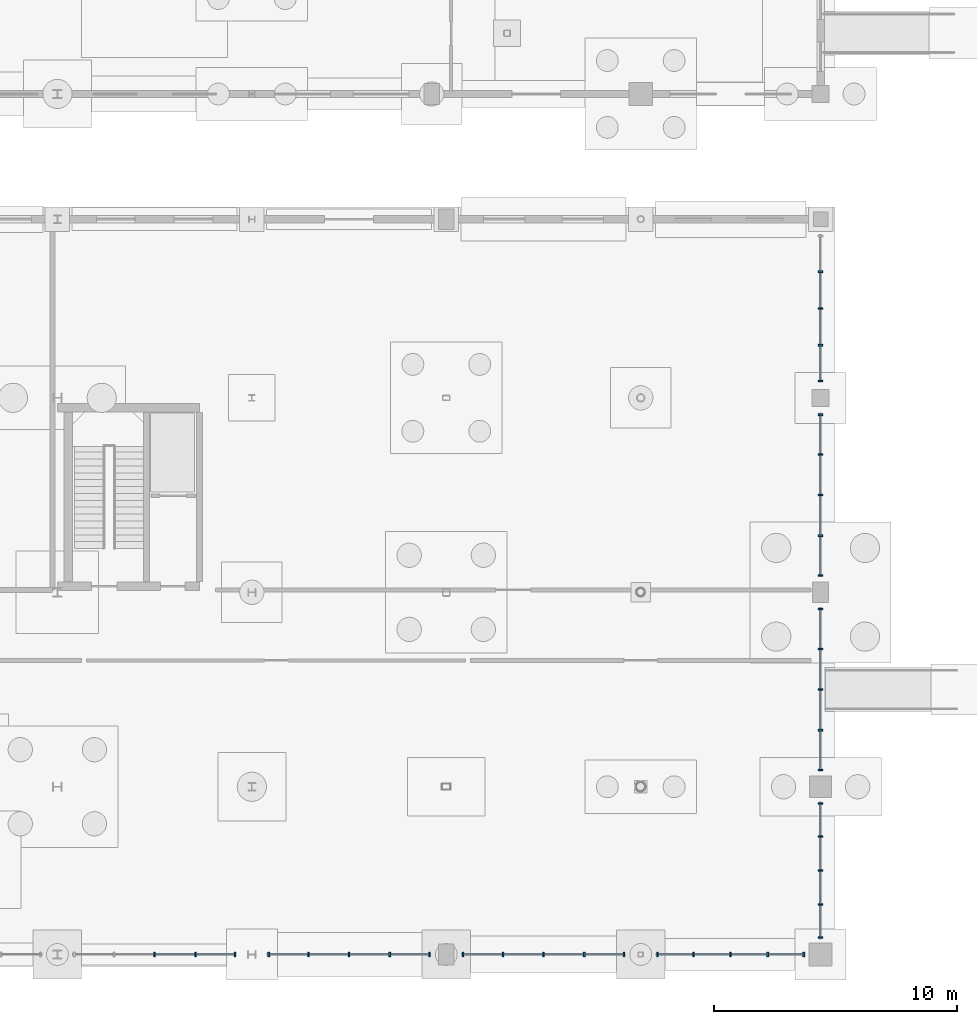
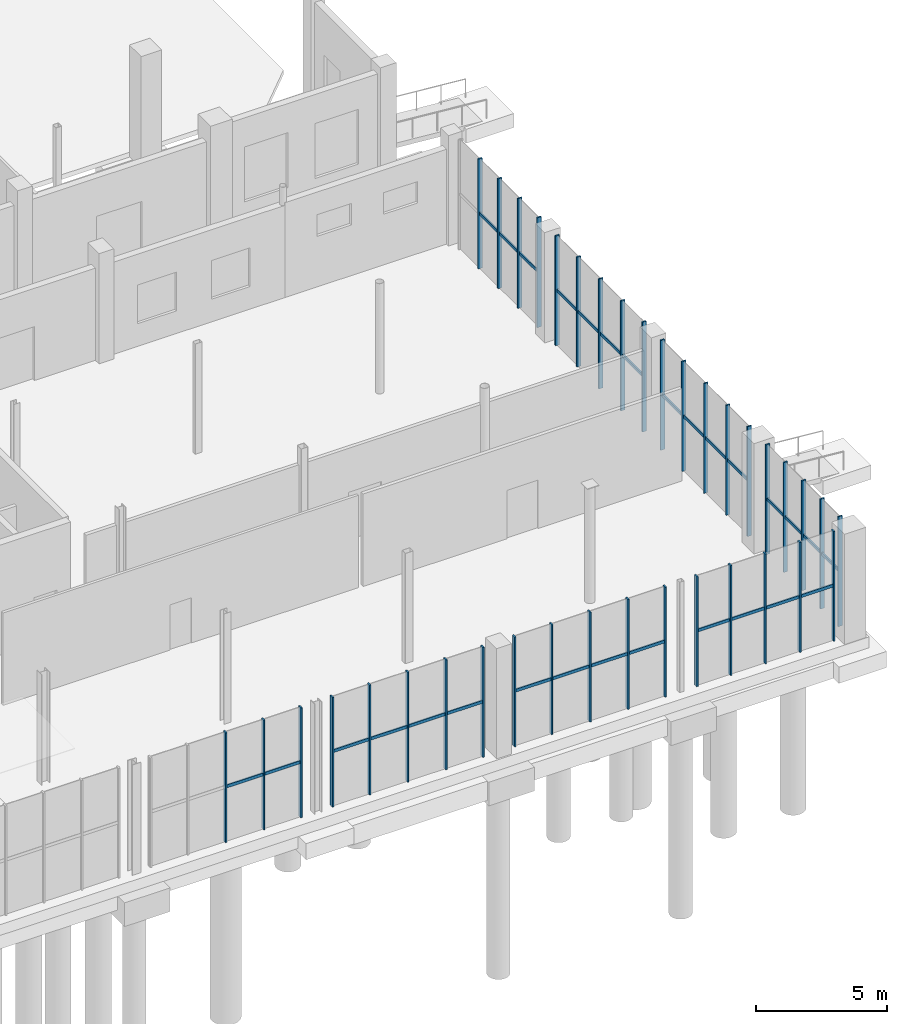
# One storey, part 51 of 87: 66 members, 8 elements without a shape of their own.
"""IFC4 building model written with IfcOpenShell, lengths in metres."""

from ifc_helpers import new_model, si_unit, direction, frame, origin, origin_2d, place, context, subcontext, project, spatial, rectangle, extrude, material, material_profile, profile_set, type_object, element, aggregate, save


model = new_model("IFC4")

# Units and contexts
model_context = context("Model", 3, precision=1e-05, world=origin(), true_north=direction((0.0, 1.0)))
body_context = subcontext(model_context, "Body", "Model", "MODEL_VIEW")
ifc_project = project(units=[si_unit("LENGTHUNIT", "METRE"), si_unit("AREAUNIT", "SQUARE_METRE"), si_unit("VOLUMEUNIT", "CUBIC_METRE"), si_unit("PLANEANGLEUNIT", "RADIAN"), si_unit("MASSUNIT", "GRAM", prefix="KILO")], contexts=[model_context])

# Site, building, storey
site_placement = place(None, origin())
site = spatial("IfcSite", under=ifc_project, at=site_placement, CompositionType="ELEMENT")
building_placement = place(site_placement, origin())
building = spatial("IfcBuilding", under=site, at=building_placement, Name="Brisemont Oceanarium", CompositionType="ELEMENT")
storey_placement = place(building_placement, origin())
storey = spatial("IfcBuildingStorey", under=building, at=storey_placement, Name="L00", CompositionType="ELEMENT", Elevation=0.0)

# Curtain wall, members
ifc_material_1 = material(Name="Anodized Extruded Aluminum 6063-T6", Category="aluminium")
curtain_wall_type = type_object("IfcCurtainWallType", Name="CW-EDU-69X45", PredefinedType="NOTDEFINED", material=ifc_material_1)
curtain_wall_1_placement = place(storey_placement, origin())
curtain_wall_1 = element("IfcCurtainWall", 1, at=curtain_wall_1_placement, inside=storey, type_object=curtain_wall_type, Name="CW-07 curtain wall CW-V3-S-L00-03", PredefinedType="NOTDEFINED")
ifc_material_2 = material(Name="Anodized Extruded Aluminum 6063-T6", Category="aluminium")
ifc_material_profile_1 = material_profile(ifc_material_2, rectangle(XDim=0.06494140625, YDim=0.179931640625, at=origin_2d()), Name="CWM-65X180")
ifc_profile_set_1 = profile_set([ifc_material_profile_1], Name="Anodized Extruded Aluminum 6063-T6")
member_type_1 = type_object("IfcMemberType", Name="MEM-CWM-65", PredefinedType="MULLION", material=ifc_profile_set_1)
member_1_placement = place(storey_placement, frame((132.0, 1.10009765625, 0.0), z_axis=(0.0, 0.0, 1.0), x_axis=(1.0, 0.0, 0.0)))
member_1 = element("IfcMember", 2, at=member_1_placement, type_object=member_type_1, Name="CW-V3-S-L00-03 mullion 3", PredefinedType="MULLION", context=body_context, shape_type="SweptSolid", body=[
    extrude(rectangle(XDim=0.06494140625, YDim=0.179931640625, at=origin_2d()), origin(), (0.0, 0.0, 1.0), 5.10009765625),
])
member_2_placement = place(storey_placement, frame((133.675048828125, 1.10009765625, 0.0), z_axis=(0.0, 0.0, 1.0), x_axis=(1.0, 0.0, 0.0)))
member_2 = element("IfcMember", 3, at=member_2_placement, type_object=member_type_1, Name="CW-V3-S-L00-03 mullion 4", PredefinedType="MULLION", context=body_context, shape_type="SweptSolid", body=[
    extrude(rectangle(XDim=0.06494140625, YDim=0.179931640625, at=origin_2d()), origin(), (0.0, 0.0, 1.0), 5.10009765625),
])
member_3_placement = place(storey_placement, frame((135.304931640625, 1.10009765625, 0.0), z_axis=(0.0, 0.0, 1.0), x_axis=(1.0, 0.0, 0.0)))
member_3 = element("IfcMember", 4, at=member_3_placement, type_object=member_type_1, Name="CW-V3-S-L00-03 mullion 5", PredefinedType="MULLION", context=body_context, shape_type="SweptSolid", body=[
    extrude(rectangle(XDim=0.06494140625, YDim=0.179931640625, at=origin_2d()), origin(), (0.0, 0.0, 1.0), 5.10009765625),
])

curtain_wall_2_placement = place(storey_placement, origin())
curtain_wall_2 = element("IfcCurtainWall", 5, at=curtain_wall_2_placement, inside=storey, type_object=curtain_wall_type, Name="CW-07 curtain wall CW-V3-S-L00-04", PredefinedType="NOTDEFINED")
member_4_placement = place(storey_placement, frame((136.695068359375, 1.10009765625, 0.0), z_axis=(0.0, 0.0, 1.0), x_axis=(1.0, 0.0, 0.0)))
member_4 = element("IfcMember", 6, at=member_4_placement, type_object=member_type_1, Name="CW-V3-S-L00-04 mullion 1", PredefinedType="MULLION", context=body_context, shape_type="SweptSolid", body=[
    extrude(rectangle(XDim=0.06494140625, YDim=0.179931640625, at=origin_2d()), origin(), (0.0, 0.0, 1.0), 5.10009765625),
])
member_5_placement = place(storey_placement, frame((138.324951171875, 1.10009765625, 0.0), z_axis=(0.0, 0.0, 1.0), x_axis=(1.0, 0.0, 0.0)))
member_5 = element("IfcMember", 7, at=member_5_placement, type_object=member_type_1, Name="CW-V3-S-L00-04 mullion 2", PredefinedType="MULLION", context=body_context, shape_type="SweptSolid", body=[
    extrude(rectangle(XDim=0.06494140625, YDim=0.179931640625, at=origin_2d()), origin(), (0.0, 0.0, 1.0), 5.10009765625),
])
member_6_placement = place(storey_placement, frame((140.0, 1.10009765625, 0.0), z_axis=(0.0, 0.0, 1.0), x_axis=(1.0, 0.0, 0.0)))
member_6 = element("IfcMember", 8, at=member_6_placement, type_object=member_type_1, Name="CW-V3-S-L00-04 mullion 3", PredefinedType="MULLION", context=body_context, shape_type="SweptSolid", body=[
    extrude(rectangle(XDim=0.06494140625, YDim=0.179931640625, at=origin_2d()), origin(), (0.0, 0.0, 1.0), 5.10009765625),
])
member_7_placement = place(storey_placement, frame((141.675048828125, 1.10009765625, 0.0), z_axis=(0.0, 0.0, 1.0), x_axis=(1.0, 0.0, 0.0)))
member_7 = element("IfcMember", 9, at=member_7_placement, type_object=member_type_1, Name="CW-V3-S-L00-04 mullion 4", PredefinedType="MULLION", context=body_context, shape_type="SweptSolid", body=[
    extrude(rectangle(XDim=0.06494140625, YDim=0.179931640625, at=origin_2d()), origin(), (0.0, 0.0, 1.0), 5.10009765625),
])
member_8_placement = place(storey_placement, frame((143.304931640625, 1.10009765625, 0.0), z_axis=(0.0, 0.0, 1.0), x_axis=(1.0, 0.0, 0.0)))
member_8 = element("IfcMember", 10, at=member_8_placement, type_object=member_type_1, Name="CW-V3-S-L00-04 mullion 5", PredefinedType="MULLION", context=body_context, shape_type="SweptSolid", body=[
    extrude(rectangle(XDim=0.06494140625, YDim=0.179931640625, at=origin_2d()), origin(), (0.0, 0.0, 1.0), 5.10009765625),
])

curtain_wall_3_placement = place(storey_placement, origin())
curtain_wall_3 = element("IfcCurtainWall", 11, at=curtain_wall_3_placement, inside=storey, type_object=curtain_wall_type, Name="CW-07 curtain wall CW-V3-S-L00-05", PredefinedType="NOTDEFINED")
member_9_placement = place(storey_placement, frame((144.695068359375, 1.10009765625, 0.0), z_axis=(0.0, 0.0, 1.0), x_axis=(1.0, 0.0, 0.0)))
member_9 = element("IfcMember", 12, at=member_9_placement, type_object=member_type_1, Name="CW-V3-S-L00-05 mullion 1", PredefinedType="MULLION", context=body_context, shape_type="SweptSolid", body=[
    extrude(rectangle(XDim=0.06494140625, YDim=0.179931640625, at=origin_2d()), origin(), (0.0, 0.0, 1.0), 5.10009765625),
])
member_10_placement = place(storey_placement, frame((146.324951171875, 1.10009765625, 0.0), z_axis=(0.0, 0.0, 1.0), x_axis=(1.0, 0.0, 0.0)))
member_10 = element("IfcMember", 13, at=member_10_placement, type_object=member_type_1, Name="CW-V3-S-L00-05 mullion 2", PredefinedType="MULLION", context=body_context, shape_type="SweptSolid", body=[
    extrude(rectangle(XDim=0.06494140625, YDim=0.179931640625, at=origin_2d()), origin(), (0.0, 0.0, 1.0), 5.10009765625),
])
member_11_placement = place(storey_placement, frame((148.0, 1.10009765625, 0.0), z_axis=(0.0, 0.0, 1.0), x_axis=(1.0, 0.0, 0.0)))
member_11 = element("IfcMember", 14, at=member_11_placement, type_object=member_type_1, Name="CW-V3-S-L00-05 mullion 3", PredefinedType="MULLION", context=body_context, shape_type="SweptSolid", body=[
    extrude(rectangle(XDim=0.06494140625, YDim=0.179931640625, at=origin_2d()), origin(), (0.0, 0.0, 1.0), 5.10009765625),
])
member_12_placement = place(storey_placement, frame((149.675048828125, 1.10009765625, 0.0), z_axis=(0.0, 0.0, 1.0), x_axis=(1.0, 0.0, 0.0)))
member_12 = element("IfcMember", 15, at=member_12_placement, type_object=member_type_1, Name="CW-V3-S-L00-05 mullion 4", PredefinedType="MULLION", context=body_context, shape_type="SweptSolid", body=[
    extrude(rectangle(XDim=0.06494140625, YDim=0.179931640625, at=origin_2d()), origin(), (0.0, 0.0, 1.0), 5.10009765625),
])
member_13_placement = place(storey_placement, frame((151.304931640625, 1.10009765625, 0.0), z_axis=(0.0, 0.0, 1.0), x_axis=(1.0, 0.0, 0.0)))
member_13 = element("IfcMember", 16, at=member_13_placement, type_object=member_type_1, Name="CW-V3-S-L00-05 mullion 5", PredefinedType="MULLION", context=body_context, shape_type="SweptSolid", body=[
    extrude(rectangle(XDim=0.06494140625, YDim=0.179931640625, at=origin_2d()), origin(), (0.0, 0.0, 1.0), 5.10009765625),
])

curtain_wall_4_placement = place(storey_placement, origin())
curtain_wall_4 = element("IfcCurtainWall", 17, at=curtain_wall_4_placement, inside=storey, type_object=curtain_wall_type, Name="CW-07 curtain wall CW-V3-S-L00-06", PredefinedType="NOTDEFINED")
member_14_placement = place(storey_placement, frame((152.695068359375, 1.10009765625, 0.0), z_axis=(0.0, 0.0, 1.0), x_axis=(1.0, 0.0, 0.0)))
member_14 = element("IfcMember", 18, at=member_14_placement, type_object=member_type_1, Name="CW-V3-S-L00-06 mullion 1", PredefinedType="MULLION", context=body_context, shape_type="SweptSolid", body=[
    extrude(rectangle(XDim=0.06494140625, YDim=0.179931640625, at=origin_2d()), origin(), (0.0, 0.0, 1.0), 5.10009765625),
])
member_15_placement = place(storey_placement, frame((154.175048828125, 1.10009765625, 0.0), z_axis=(0.0, 0.0, 1.0), x_axis=(1.0, 0.0, 0.0)))
member_15 = element("IfcMember", 19, at=member_15_placement, type_object=member_type_1, Name="CW-V3-S-L00-06 mullion 2", PredefinedType="MULLION", context=body_context, shape_type="SweptSolid", body=[
    extrude(rectangle(XDim=0.06494140625, YDim=0.179931640625, at=origin_2d()), origin(), (0.0, 0.0, 1.0), 5.10009765625),
])
member_16_placement = place(storey_placement, frame((155.699951171875, 1.10009765625, 0.0), z_axis=(0.0, 0.0, 1.0), x_axis=(1.0, 0.0, 0.0)))
member_16 = element("IfcMember", 20, at=member_16_placement, type_object=member_type_1, Name="CW-V3-S-L00-06 mullion 3", PredefinedType="MULLION", context=body_context, shape_type="SweptSolid", body=[
    extrude(rectangle(XDim=0.06494140625, YDim=0.179931640625, at=origin_2d()), origin(), (0.0, 0.0, 1.0), 5.10009765625),
])
member_17_placement = place(storey_placement, frame((157.22509765625, 1.10009765625, 0.0), z_axis=(0.0, 0.0, 1.0), x_axis=(1.0, 0.0, 0.0)))
member_17 = element("IfcMember", 21, at=member_17_placement, type_object=member_type_1, Name="CW-V3-S-L00-06 mullion 4", PredefinedType="MULLION", context=body_context, shape_type="SweptSolid", body=[
    extrude(rectangle(XDim=0.06494140625, YDim=0.179931640625, at=origin_2d()), origin(), (0.0, 0.0, 1.0), 5.10009765625),
])
member_18_placement = place(storey_placement, frame((158.705078125, 1.10009765625, 0.0), z_axis=(0.0, 0.0, 1.0), x_axis=(1.0, 0.0, 0.0)))
member_18 = element("IfcMember", 22, at=member_18_placement, type_object=member_type_1, Name="CW-V3-S-L00-06 mullion 5", PredefinedType="MULLION", context=body_context, shape_type="SweptSolid", body=[
    extrude(rectangle(XDim=0.06494140625, YDim=0.179931640625, at=origin_2d()), origin(), (0.0, 0.0, 1.0), 5.10009765625),
])

curtain_wall_5_placement = place(storey_placement, origin())
curtain_wall_5 = element("IfcCurtainWall", 23, at=curtain_wall_5_placement, inside=storey, type_object=curtain_wall_type, Name="CW-07 curtain wall CW-V3-E-L00-01", PredefinedType="NOTDEFINED")
member_19_placement = place(storey_placement, frame((159.39990234375, 1.794921875, 0.0), z_axis=(0.0, 0.0, 1.0), x_axis=(0.0, 1.0, 0.0)))
member_19 = element("IfcMember", 24, at=member_19_placement, type_object=member_type_1, Name="CW-V3-E-L00-01 mullion 1", PredefinedType="MULLION", context=body_context, shape_type="SweptSolid", body=[
    extrude(rectangle(XDim=0.06494140625, YDim=0.179931640625, at=origin_2d()), origin(), (0.0, 0.0, 1.0), 5.10009765625),
])
member_20_placement = place(storey_placement, frame((159.39990234375, 3.14990234375, 0.0), z_axis=(0.0, 0.0, 1.0), x_axis=(0.0, 1.0, 0.0)))
member_20 = element("IfcMember", 25, at=member_20_placement, type_object=member_type_1, Name="CW-V3-E-L00-01 mullion 2", PredefinedType="MULLION", context=body_context, shape_type="SweptSolid", body=[
    extrude(rectangle(XDim=0.06494140625, YDim=0.179931640625, at=origin_2d()), origin(), (0.0, 0.0, 1.0), 5.10009765625),
])
member_21_placement = place(storey_placement, frame((159.39990234375, 4.550048828125, 0.0), z_axis=(0.0, 0.0, 1.0), x_axis=(0.0, 1.0, 0.0)))
member_21 = element("IfcMember", 26, at=member_21_placement, type_object=member_type_1, Name="CW-V3-E-L00-01 mullion 3", PredefinedType="MULLION", context=body_context, shape_type="SweptSolid", body=[
    extrude(rectangle(XDim=0.06494140625, YDim=0.179931640625, at=origin_2d()), origin(), (0.0, 0.0, 1.0), 5.10009765625),
])
member_22_placement = place(storey_placement, frame((159.39990234375, 5.949951171875, 0.0), z_axis=(0.0, 0.0, 1.0), x_axis=(0.0, 1.0, 0.0)))
member_22 = element("IfcMember", 27, at=member_22_placement, type_object=member_type_1, Name="CW-V3-E-L00-01 mullion 4", PredefinedType="MULLION", context=body_context, shape_type="SweptSolid", body=[
    extrude(rectangle(XDim=0.06494140625, YDim=0.179931640625, at=origin_2d()), origin(), (0.0, 0.0, 1.0), 5.10009765625),
])
member_23_placement = place(storey_placement, frame((159.39990234375, 7.304931640625, 0.0), z_axis=(0.0, 0.0, 1.0), x_axis=(0.0, 1.0, 0.0)))
member_23 = element("IfcMember", 28, at=member_23_placement, type_object=member_type_1, Name="CW-V3-E-L00-01 mullion 5", PredefinedType="MULLION", context=body_context, shape_type="SweptSolid", body=[
    extrude(rectangle(XDim=0.06494140625, YDim=0.179931640625, at=origin_2d()), origin(), (0.0, 0.0, 1.0), 5.10009765625),
])

curtain_wall_6_placement = place(storey_placement, origin())
curtain_wall_6 = element("IfcCurtainWall", 29, at=curtain_wall_6_placement, inside=storey, type_object=curtain_wall_type, Name="CW-07 curtain wall CW-V3-E-L00-02", PredefinedType="NOTDEFINED")
member_24_placement = place(storey_placement, frame((159.39990234375, 8.695068359375, 0.0), z_axis=(0.0, 0.0, 1.0), x_axis=(0.0, 1.0, 0.0)))
member_24 = element("IfcMember", 30, at=member_24_placement, type_object=member_type_1, Name="CW-V3-E-L00-02 mullion 1", PredefinedType="MULLION", context=body_context, shape_type="SweptSolid", body=[
    extrude(rectangle(XDim=0.06494140625, YDim=0.179931640625, at=origin_2d()), origin(), (0.0, 0.0, 1.0), 5.10009765625),
])
member_25_placement = place(storey_placement, frame((159.39990234375, 10.324951171875, 0.0), z_axis=(0.0, 0.0, 1.0), x_axis=(0.0, 1.0, 0.0)))
member_25 = element("IfcMember", 31, at=member_25_placement, type_object=member_type_1, Name="CW-V3-E-L00-02 mullion 2", PredefinedType="MULLION", context=body_context, shape_type="SweptSolid", body=[
    extrude(rectangle(XDim=0.06494140625, YDim=0.179931640625, at=origin_2d()), origin(), (0.0, 0.0, 1.0), 5.10009765625),
])
member_26_placement = place(storey_placement, frame((159.39990234375, 12.0, 0.0), z_axis=(0.0, 0.0, 1.0), x_axis=(0.0, 1.0, 0.0)))
member_26 = element("IfcMember", 32, at=member_26_placement, type_object=member_type_1, Name="CW-V3-E-L00-02 mullion 3", PredefinedType="MULLION", context=body_context, shape_type="SweptSolid", body=[
    extrude(rectangle(XDim=0.06494140625, YDim=0.179931640625, at=origin_2d()), origin(), (0.0, 0.0, 1.0), 5.10009765625),
])
member_27_placement = place(storey_placement, frame((159.39990234375, 13.675048828125, 0.0), z_axis=(0.0, 0.0, 1.0), x_axis=(0.0, 1.0, 0.0)))
member_27 = element("IfcMember", 33, at=member_27_placement, type_object=member_type_1, Name="CW-V3-E-L00-02 mullion 4", PredefinedType="MULLION", context=body_context, shape_type="SweptSolid", body=[
    extrude(rectangle(XDim=0.06494140625, YDim=0.179931640625, at=origin_2d()), origin(), (0.0, 0.0, 1.0), 5.10009765625),
])
member_28_placement = place(storey_placement, frame((159.39990234375, 15.304931640625, 0.0), z_axis=(0.0, 0.0, 1.0), x_axis=(0.0, 1.0, 0.0)))
member_28 = element("IfcMember", 34, at=member_28_placement, type_object=member_type_1, Name="CW-V3-E-L00-02 mullion 5", PredefinedType="MULLION", context=body_context, shape_type="SweptSolid", body=[
    extrude(rectangle(XDim=0.06494140625, YDim=0.179931640625, at=origin_2d()), origin(), (0.0, 0.0, 1.0), 5.10009765625),
])

curtain_wall_7_placement = place(storey_placement, origin())
curtain_wall_7 = element("IfcCurtainWall", 35, at=curtain_wall_7_placement, inside=storey, type_object=curtain_wall_type, Name="CW-07 curtain wall CW-V3-E-L00-03", PredefinedType="NOTDEFINED")
member_29_placement = place(storey_placement, frame((159.39990234375, 16.695068359375, 0.0), z_axis=(0.0, 0.0, 1.0), x_axis=(0.0, 1.0, 0.0)))
member_29 = element("IfcMember", 36, at=member_29_placement, type_object=member_type_1, Name="CW-V3-E-L00-03 mullion 1", PredefinedType="MULLION", context=body_context, shape_type="SweptSolid", body=[
    extrude(rectangle(XDim=0.06494140625, YDim=0.179931640625, at=origin_2d()), origin(), (0.0, 0.0, 1.0), 5.10009765625),
])
member_30_placement = place(storey_placement, frame((159.39990234375, 18.324951171875, 0.0), z_axis=(0.0, 0.0, 1.0), x_axis=(0.0, 1.0, 0.0)))
member_30 = element("IfcMember", 37, at=member_30_placement, type_object=member_type_1, Name="CW-V3-E-L00-03 mullion 2", PredefinedType="MULLION", context=body_context, shape_type="SweptSolid", body=[
    extrude(rectangle(XDim=0.06494140625, YDim=0.179931640625, at=origin_2d()), origin(), (0.0, 0.0, 1.0), 5.10009765625),
])
member_31_placement = place(storey_placement, frame((159.39990234375, 20.0, 0.0), z_axis=(0.0, 0.0, 1.0), x_axis=(0.0, 1.0, 0.0)))
member_31 = element("IfcMember", 38, at=member_31_placement, type_object=member_type_1, Name="CW-V3-E-L00-03 mullion 3", PredefinedType="MULLION", context=body_context, shape_type="SweptSolid", body=[
    extrude(rectangle(XDim=0.06494140625, YDim=0.179931640625, at=origin_2d()), origin(), (0.0, 0.0, 1.0), 5.10009765625),
])
member_32_placement = place(storey_placement, frame((159.39990234375, 21.675048828125, 0.0), z_axis=(0.0, 0.0, 1.0), x_axis=(0.0, 1.0, 0.0)))
member_32 = element("IfcMember", 39, at=member_32_placement, type_object=member_type_1, Name="CW-V3-E-L00-03 mullion 4", PredefinedType="MULLION", context=body_context, shape_type="SweptSolid", body=[
    extrude(rectangle(XDim=0.06494140625, YDim=0.179931640625, at=origin_2d()), origin(), (0.0, 0.0, 1.0), 5.10009765625),
])
member_33_placement = place(storey_placement, frame((159.39990234375, 23.304931640625, 0.0), z_axis=(0.0, 0.0, 1.0), x_axis=(0.0, 1.0, 0.0)))
member_33 = element("IfcMember", 40, at=member_33_placement, type_object=member_type_1, Name="CW-V3-E-L00-03 mullion 5", PredefinedType="MULLION", context=body_context, shape_type="SweptSolid", body=[
    extrude(rectangle(XDim=0.06494140625, YDim=0.179931640625, at=origin_2d()), origin(), (0.0, 0.0, 1.0), 5.10009765625),
])

curtain_wall_8_placement = place(storey_placement, origin())
curtain_wall_8 = element("IfcCurtainWall", 41, at=curtain_wall_8_placement, inside=storey, type_object=curtain_wall_type, Name="CW-07 curtain wall CW-V3-E-L00-04", PredefinedType="NOTDEFINED")
member_34_placement = place(storey_placement, frame((159.39990234375, 24.695068359375, 0.0), z_axis=(0.0, 0.0, 1.0), x_axis=(0.0, 1.0, 0.0)))
member_34 = element("IfcMember", 42, at=member_34_placement, type_object=member_type_1, Name="CW-V3-E-L00-04 mullion 1", PredefinedType="MULLION", context=body_context, shape_type="SweptSolid", body=[
    extrude(rectangle(XDim=0.06494140625, YDim=0.179931640625, at=origin_2d()), origin(), (0.0, 0.0, 1.0), 5.10009765625),
])
member_35_placement = place(storey_placement, frame((159.39990234375, 26.16259765625, 0.0), z_axis=(0.0, 0.0, 1.0), x_axis=(0.0, 1.0, 0.0)))
member_35 = element("IfcMember", 43, at=member_35_placement, type_object=member_type_1, Name="CW-V3-E-L00-04 mullion 2", PredefinedType="MULLION", context=body_context, shape_type="SweptSolid", body=[
    extrude(rectangle(XDim=0.06494140625, YDim=0.179931640625, at=origin_2d()), origin(), (0.0, 0.0, 1.0), 5.10009765625),
])
member_36_placement = place(storey_placement, frame((159.39990234375, 27.675048828125, 0.0), z_axis=(0.0, 0.0, 1.0), x_axis=(0.0, 1.0, 0.0)))
member_36 = element("IfcMember", 44, at=member_36_placement, type_object=member_type_1, Name="CW-V3-E-L00-04 mullion 3", PredefinedType="MULLION", context=body_context, shape_type="SweptSolid", body=[
    extrude(rectangle(XDim=0.06494140625, YDim=0.179931640625, at=origin_2d()), origin(), (0.0, 0.0, 1.0), 5.10009765625),
])
member_37_placement = place(storey_placement, frame((159.39990234375, 29.1875, 0.0), z_axis=(0.0, 0.0, 1.0), x_axis=(0.0, 1.0, 0.0)))
member_37 = element("IfcMember", 45, at=member_37_placement, type_object=member_type_1, Name="CW-V3-E-L00-04 mullion 4", PredefinedType="MULLION", context=body_context, shape_type="SweptSolid", body=[
    extrude(rectangle(XDim=0.06494140625, YDim=0.179931640625, at=origin_2d()), origin(), (0.0, 0.0, 1.0), 5.10009765625),
])

# Member
ifc_material_3 = material(Name="Anodized Extruded Aluminum 6063-T6", Category="aluminium")
ifc_material_profile_2 = material_profile(ifc_material_3, rectangle(XDim=0.06494140625, YDim=0.139892578125, at=origin_2d()), Name="CWT-65X140")
ifc_profile_set_2 = profile_set([ifc_material_profile_2], Name="Anodized Extruded Aluminum 6063-T6")
member_type_2 = type_object("IfcMemberType", Name="MEM-CWT-65", PredefinedType="USERDEFINED", material=ifc_profile_set_2)
member_38_placement = place(storey_placement, frame((132.014892578125, 1.10009765625, 2.550048828125), z_axis=(1.0, 0.0, 0.0), x_axis=(0.0, 1.0, 0.0)))
member_38 = element("IfcMember", 46, at=member_38_placement, type_object=member_type_2, Name="CW-V3-S-L00-03 transom 3.1", ObjectType="TRANSOM", PredefinedType="USERDEFINED", context=body_context, shape_type="SweptSolid", body=[
    extrude(rectangle(XDim=0.06494140625, YDim=0.139892578125, at=origin_2d()), origin(), (0.0, 0.0, 1.0), 1.64501953125),
])

member_39_placement = place(storey_placement, frame((133.68994140625, 1.10009765625, 2.550048828125), z_axis=(1.0, 0.0, 0.0), x_axis=(0.0, 1.0, 0.0)))
member_39 = element("IfcMember", 47, at=member_39_placement, type_object=member_type_2, Name="CW-V3-S-L00-03 transom 4.1", ObjectType="TRANSOM", PredefinedType="USERDEFINED", context=body_context, shape_type="SweptSolid", body=[
    extrude(rectangle(XDim=0.06494140625, YDim=0.139892578125, at=origin_2d()), origin(), (0.0, 0.0, 1.0), 1.64501953125),
])

aggregate(curtain_wall_1, [member_1, member_2, member_3, member_38, member_39])

member_40_placement = place(storey_placement, frame((136.6650390625, 1.10009765625, 2.550048828125), z_axis=(1.0, 0.0, 0.0), x_axis=(0.0, 1.0, 0.0)))
member_40 = element("IfcMember", 48, at=member_40_placement, type_object=member_type_2, Name="CW-V3-S-L00-04 transom 1.1", ObjectType="TRANSOM", PredefinedType="USERDEFINED", context=body_context, shape_type="SweptSolid", body=[
    extrude(rectangle(XDim=0.06494140625, YDim=0.139892578125, at=origin_2d()), origin(), (0.0, 0.0, 1.0), 1.64501953125),
])

member_41_placement = place(storey_placement, frame((138.340087890625, 1.10009765625, 2.550048828125), z_axis=(1.0, 0.0, 0.0), x_axis=(0.0, 1.0, 0.0)))
member_41 = element("IfcMember", 49, at=member_41_placement, type_object=member_type_2, Name="CW-V3-S-L00-04 transom 2.1", ObjectType="TRANSOM", PredefinedType="USERDEFINED", context=body_context, shape_type="SweptSolid", body=[
    extrude(rectangle(XDim=0.06494140625, YDim=0.139892578125, at=origin_2d()), origin(), (0.0, 0.0, 1.0), 1.64501953125),
])

member_42_placement = place(storey_placement, frame((140.014892578125, 1.10009765625, 2.550048828125), z_axis=(1.0, 0.0, 0.0), x_axis=(0.0, 1.0, 0.0)))
member_42 = element("IfcMember", 50, at=member_42_placement, type_object=member_type_2, Name="CW-V3-S-L00-04 transom 3.1", ObjectType="TRANSOM", PredefinedType="USERDEFINED", context=body_context, shape_type="SweptSolid", body=[
    extrude(rectangle(XDim=0.06494140625, YDim=0.139892578125, at=origin_2d()), origin(), (0.0, 0.0, 1.0), 1.64501953125),
])

member_43_placement = place(storey_placement, frame((141.68994140625, 1.10009765625, 2.550048828125), z_axis=(1.0, 0.0, 0.0), x_axis=(0.0, 1.0, 0.0)))
member_43 = element("IfcMember", 51, at=member_43_placement, type_object=member_type_2, Name="CW-V3-S-L00-04 transom 4.1", ObjectType="TRANSOM", PredefinedType="USERDEFINED", context=body_context, shape_type="SweptSolid", body=[
    extrude(rectangle(XDim=0.06494140625, YDim=0.139892578125, at=origin_2d()), origin(), (0.0, 0.0, 1.0), 1.64501953125),
])

aggregate(curtain_wall_2, [member_4, member_5, member_6, member_7, member_8, member_40, member_41, member_42, member_43])

member_44_placement = place(storey_placement, frame((144.6650390625, 1.10009765625, 2.550048828125), z_axis=(1.0, 0.0, 0.0), x_axis=(0.0, 1.0, 0.0)))
member_44 = element("IfcMember", 52, at=member_44_placement, type_object=member_type_2, Name="CW-V3-S-L00-05 transom 1.1", ObjectType="TRANSOM", PredefinedType="USERDEFINED", context=body_context, shape_type="SweptSolid", body=[
    extrude(rectangle(XDim=0.06494140625, YDim=0.139892578125, at=origin_2d()), origin(), (0.0, 0.0, 1.0), 1.64501953125),
])

member_45_placement = place(storey_placement, frame((146.340087890625, 1.10009765625, 2.550048828125), z_axis=(1.0, 0.0, 0.0), x_axis=(0.0, 1.0, 0.0)))
member_45 = element("IfcMember", 53, at=member_45_placement, type_object=member_type_2, Name="CW-V3-S-L00-05 transom 2.1", ObjectType="TRANSOM", PredefinedType="USERDEFINED", context=body_context, shape_type="SweptSolid", body=[
    extrude(rectangle(XDim=0.06494140625, YDim=0.139892578125, at=origin_2d()), origin(), (0.0, 0.0, 1.0), 1.64501953125),
])

member_46_placement = place(storey_placement, frame((148.014892578125, 1.10009765625, 2.550048828125), z_axis=(1.0, 0.0, 0.0), x_axis=(0.0, 1.0, 0.0)))
member_46 = element("IfcMember", 54, at=member_46_placement, type_object=member_type_2, Name="CW-V3-S-L00-05 transom 3.1", ObjectType="TRANSOM", PredefinedType="USERDEFINED", context=body_context, shape_type="SweptSolid", body=[
    extrude(rectangle(XDim=0.06494140625, YDim=0.139892578125, at=origin_2d()), origin(), (0.0, 0.0, 1.0), 1.64501953125),
])

member_47_placement = place(storey_placement, frame((149.68994140625, 1.10009765625, 2.550048828125), z_axis=(1.0, 0.0, 0.0), x_axis=(0.0, 1.0, 0.0)))
member_47 = element("IfcMember", 55, at=member_47_placement, type_object=member_type_2, Name="CW-V3-S-L00-05 transom 4.1", ObjectType="TRANSOM", PredefinedType="USERDEFINED", context=body_context, shape_type="SweptSolid", body=[
    extrude(rectangle(XDim=0.06494140625, YDim=0.139892578125, at=origin_2d()), origin(), (0.0, 0.0, 1.0), 1.64501953125),
])

aggregate(curtain_wall_3, [member_9, member_10, member_11, member_12, member_13, member_44, member_45, member_46, member_47])

member_48_placement = place(storey_placement, frame((152.6650390625, 1.10009765625, 2.550048828125), z_axis=(1.0, 0.0, 0.0), x_axis=(0.0, 1.0, 0.0)))
member_48 = element("IfcMember", 56, at=member_48_placement, type_object=member_type_2, Name="CW-V3-S-L00-06 transom 1.1", ObjectType="TRANSOM", PredefinedType="USERDEFINED", context=body_context, shape_type="SweptSolid", body=[
    extrude(rectangle(XDim=0.06494140625, YDim=0.139892578125, at=origin_2d()), origin(), (0.0, 0.0, 1.0), 1.494873046875),
])

member_49_placement = place(storey_placement, frame((154.18994140625, 1.10009765625, 2.550048828125), z_axis=(1.0, 0.0, 0.0), x_axis=(0.0, 1.0, 0.0)))
member_49 = element("IfcMember", 57, at=member_49_placement, type_object=member_type_2, Name="CW-V3-S-L00-06 transom 2.1", ObjectType="TRANSOM", PredefinedType="USERDEFINED", context=body_context, shape_type="SweptSolid", body=[
    extrude(rectangle(XDim=0.06494140625, YDim=0.139892578125, at=origin_2d()), origin(), (0.0, 0.0, 1.0), 1.4951171875),
])

member_50_placement = place(storey_placement, frame((155.715087890625, 1.10009765625, 2.550048828125), z_axis=(1.0, 0.0, 0.0), x_axis=(0.0, 1.0, 0.0)))
member_50 = element("IfcMember", 58, at=member_50_placement, type_object=member_type_2, Name="CW-V3-S-L00-06 transom 3.1", ObjectType="TRANSOM", PredefinedType="USERDEFINED", context=body_context, shape_type="SweptSolid", body=[
    extrude(rectangle(XDim=0.06494140625, YDim=0.139892578125, at=origin_2d()), origin(), (0.0, 0.0, 1.0), 1.494873046875),
])

member_51_placement = place(storey_placement, frame((157.239990234375, 1.10009765625, 2.550048828125), z_axis=(1.0, 0.0, 0.0), x_axis=(0.0, 1.0, 0.0)))
member_51 = element("IfcMember", 59, at=member_51_placement, type_object=member_type_2, Name="CW-V3-S-L00-06 transom 4.1", ObjectType="TRANSOM", PredefinedType="USERDEFINED", context=body_context, shape_type="SweptSolid", body=[
    extrude(rectangle(XDim=0.06494140625, YDim=0.139892578125, at=origin_2d()), origin(), (0.0, 0.0, 1.0), 1.4951171875),
])

aggregate(curtain_wall_4, [member_14, member_15, member_16, member_17, member_18, member_48, member_49, member_50, member_51])

member_52_placement = place(storey_placement, frame((159.39990234375, 1.764892578125, 2.550048828125), z_axis=(0.0, 1.0, 0.0), x_axis=(-1.0, 0.0, 0.0)))
member_52 = element("IfcMember", 60, at=member_52_placement, type_object=member_type_2, Name="CW-V3-E-L00-01 transom 1.1", ObjectType="TRANSOM", PredefinedType="USERDEFINED", context=body_context, shape_type="SweptSolid", body=[
    extrude(rectangle(XDim=0.06494140625, YDim=0.139892578125, at=origin_2d()), origin(), (0.0, 0.0, 1.0), 1.3701171875),
])

member_53_placement = place(storey_placement, frame((159.39990234375, 3.1650390625, 2.550048828125), z_axis=(0.0, 1.0, 0.0), x_axis=(-1.0, 0.0, 0.0)))
member_53 = element("IfcMember", 61, at=member_53_placement, type_object=member_type_2, Name="CW-V3-E-L00-01 transom 2.1", ObjectType="TRANSOM", PredefinedType="USERDEFINED", context=body_context, shape_type="SweptSolid", body=[
    extrude(rectangle(XDim=0.06494140625, YDim=0.139892578125, at=origin_2d()), origin(), (0.0, 0.0, 1.0), 1.369873046875),
])

member_54_placement = place(storey_placement, frame((159.39990234375, 4.56494140625, 2.550048828125), z_axis=(0.0, 1.0, 0.0), x_axis=(-1.0, 0.0, 0.0)))
member_54 = element("IfcMember", 62, at=member_54_placement, type_object=member_type_2, Name="CW-V3-E-L00-01 transom 3.1", ObjectType="TRANSOM", PredefinedType="USERDEFINED", context=body_context, shape_type="SweptSolid", body=[
    extrude(rectangle(XDim=0.06494140625, YDim=0.139892578125, at=origin_2d()), origin(), (0.0, 0.0, 1.0), 1.3701171875),
])

member_55_placement = place(storey_placement, frame((159.39990234375, 5.965087890625, 2.550048828125), z_axis=(0.0, 1.0, 0.0), x_axis=(-1.0, 0.0, 0.0)))
member_55 = element("IfcMember", 63, at=member_55_placement, type_object=member_type_2, Name="CW-V3-E-L00-01 transom 4.1", ObjectType="TRANSOM", PredefinedType="USERDEFINED", context=body_context, shape_type="SweptSolid", body=[
    extrude(rectangle(XDim=0.06494140625, YDim=0.139892578125, at=origin_2d()), origin(), (0.0, 0.0, 1.0), 1.369873046875),
])

aggregate(curtain_wall_5, [member_19, member_20, member_21, member_22, member_23, member_52, member_53, member_54, member_55])

member_56_placement = place(storey_placement, frame((159.39990234375, 8.6650390625, 2.550048828125), z_axis=(0.0, 1.0, 0.0), x_axis=(-1.0, 0.0, 0.0)))
member_56 = element("IfcMember", 64, at=member_56_placement, type_object=member_type_2, Name="CW-V3-E-L00-02 transom 1.1", ObjectType="TRANSOM", PredefinedType="USERDEFINED", context=body_context, shape_type="SweptSolid", body=[
    extrude(rectangle(XDim=0.06494140625, YDim=0.139892578125, at=origin_2d()), origin(), (0.0, 0.0, 1.0), 1.64501953125),
])

member_57_placement = place(storey_placement, frame((159.39990234375, 10.340087890625, 2.550048828125), z_axis=(0.0, 1.0, 0.0), x_axis=(-1.0, 0.0, 0.0)))
member_57 = element("IfcMember", 65, at=member_57_placement, type_object=member_type_2, Name="CW-V3-E-L00-02 transom 2.1", ObjectType="TRANSOM", PredefinedType="USERDEFINED", context=body_context, shape_type="SweptSolid", body=[
    extrude(rectangle(XDim=0.06494140625, YDim=0.139892578125, at=origin_2d()), origin(), (0.0, 0.0, 1.0), 1.64501953125),
])

member_58_placement = place(storey_placement, frame((159.39990234375, 12.014892578125, 2.550048828125), z_axis=(0.0, 1.0, 0.0), x_axis=(-1.0, 0.0, 0.0)))
member_58 = element("IfcMember", 66, at=member_58_placement, type_object=member_type_2, Name="CW-V3-E-L00-02 transom 3.1", ObjectType="TRANSOM", PredefinedType="USERDEFINED", context=body_context, shape_type="SweptSolid", body=[
    extrude(rectangle(XDim=0.06494140625, YDim=0.139892578125, at=origin_2d()), origin(), (0.0, 0.0, 1.0), 1.64501953125),
])

member_59_placement = place(storey_placement, frame((159.39990234375, 13.68994140625, 2.550048828125), z_axis=(0.0, 1.0, 0.0), x_axis=(-1.0, 0.0, 0.0)))
member_59 = element("IfcMember", 67, at=member_59_placement, type_object=member_type_2, Name="CW-V3-E-L00-02 transom 4.1", ObjectType="TRANSOM", PredefinedType="USERDEFINED", context=body_context, shape_type="SweptSolid", body=[
    extrude(rectangle(XDim=0.06494140625, YDim=0.139892578125, at=origin_2d()), origin(), (0.0, 0.0, 1.0), 1.64501953125),
])

aggregate(curtain_wall_6, [member_24, member_25, member_26, member_27, member_28, member_56, member_57, member_58, member_59])

member_60_placement = place(storey_placement, frame((159.39990234375, 16.6650390625, 2.550048828125), z_axis=(0.0, 1.0, 0.0), x_axis=(-1.0, 0.0, 0.0)))
member_60 = element("IfcMember", 68, at=member_60_placement, type_object=member_type_2, Name="CW-V3-E-L00-03 transom 1.1", ObjectType="TRANSOM", PredefinedType="USERDEFINED", context=body_context, shape_type="SweptSolid", body=[
    extrude(rectangle(XDim=0.06494140625, YDim=0.139892578125, at=origin_2d()), origin(), (0.0, 0.0, 1.0), 1.64501953125),
])

member_61_placement = place(storey_placement, frame((159.39990234375, 18.340087890625, 2.550048828125), z_axis=(0.0, 1.0, 0.0), x_axis=(-1.0, 0.0, 0.0)))
member_61 = element("IfcMember", 69, at=member_61_placement, type_object=member_type_2, Name="CW-V3-E-L00-03 transom 2.1", ObjectType="TRANSOM", PredefinedType="USERDEFINED", context=body_context, shape_type="SweptSolid", body=[
    extrude(rectangle(XDim=0.06494140625, YDim=0.139892578125, at=origin_2d()), origin(), (0.0, 0.0, 1.0), 1.64501953125),
])

member_62_placement = place(storey_placement, frame((159.39990234375, 20.014892578125, 2.550048828125), z_axis=(0.0, 1.0, 0.0), x_axis=(-1.0, 0.0, 0.0)))
member_62 = element("IfcMember", 70, at=member_62_placement, type_object=member_type_2, Name="CW-V3-E-L00-03 transom 3.1", ObjectType="TRANSOM", PredefinedType="USERDEFINED", context=body_context, shape_type="SweptSolid", body=[
    extrude(rectangle(XDim=0.06494140625, YDim=0.139892578125, at=origin_2d()), origin(), (0.0, 0.0, 1.0), 1.64501953125),
])

member_63_placement = place(storey_placement, frame((159.39990234375, 21.68994140625, 2.550048828125), z_axis=(0.0, 1.0, 0.0), x_axis=(-1.0, 0.0, 0.0)))
member_63 = element("IfcMember", 71, at=member_63_placement, type_object=member_type_2, Name="CW-V3-E-L00-03 transom 4.1", ObjectType="TRANSOM", PredefinedType="USERDEFINED", context=body_context, shape_type="SweptSolid", body=[
    extrude(rectangle(XDim=0.06494140625, YDim=0.139892578125, at=origin_2d()), origin(), (0.0, 0.0, 1.0), 1.64501953125),
])

aggregate(curtain_wall_7, [member_29, member_30, member_31, member_32, member_33, member_60, member_61, member_62, member_63])

member_64_placement = place(storey_placement, frame((159.39990234375, 24.6650390625, 2.550048828125), z_axis=(0.0, 1.0, 0.0), x_axis=(-1.0, 0.0, 0.0)))
member_64 = element("IfcMember", 72, at=member_64_placement, type_object=member_type_2, Name="CW-V3-E-L00-04 transom 1.1", ObjectType="TRANSOM", PredefinedType="USERDEFINED", context=body_context, shape_type="SweptSolid", body=[
    extrude(rectangle(XDim=0.06494140625, YDim=0.139892578125, at=origin_2d()), origin(), (0.0, 0.0, 1.0), 1.482421875),
])

member_65_placement = place(storey_placement, frame((159.39990234375, 26.177490234375, 2.550048828125), z_axis=(0.0, 1.0, 0.0), x_axis=(-1.0, 0.0, 0.0)))
member_65 = element("IfcMember", 73, at=member_65_placement, type_object=member_type_2, Name="CW-V3-E-L00-04 transom 2.1", ObjectType="TRANSOM", PredefinedType="USERDEFINED", context=body_context, shape_type="SweptSolid", body=[
    extrude(rectangle(XDim=0.06494140625, YDim=0.139892578125, at=origin_2d()), origin(), (0.0, 0.0, 1.0), 1.482421875),
])

member_66_placement = place(storey_placement, frame((159.39990234375, 27.68994140625, 2.550048828125), z_axis=(0.0, 1.0, 0.0), x_axis=(-1.0, 0.0, 0.0)))
member_66 = element("IfcMember", 74, at=member_66_placement, type_object=member_type_2, Name="CW-V3-E-L00-04 transom 3.1", ObjectType="TRANSOM", PredefinedType="USERDEFINED", context=body_context, shape_type="SweptSolid", body=[
    extrude(rectangle(XDim=0.06494140625, YDim=0.139892578125, at=origin_2d()), origin(), (0.0, 0.0, 1.0), 1.482666015625),
])

aggregate(curtain_wall_8, [member_34, member_35, member_36, member_37, member_64, member_65, member_66])

save(model, "model.ifc")
